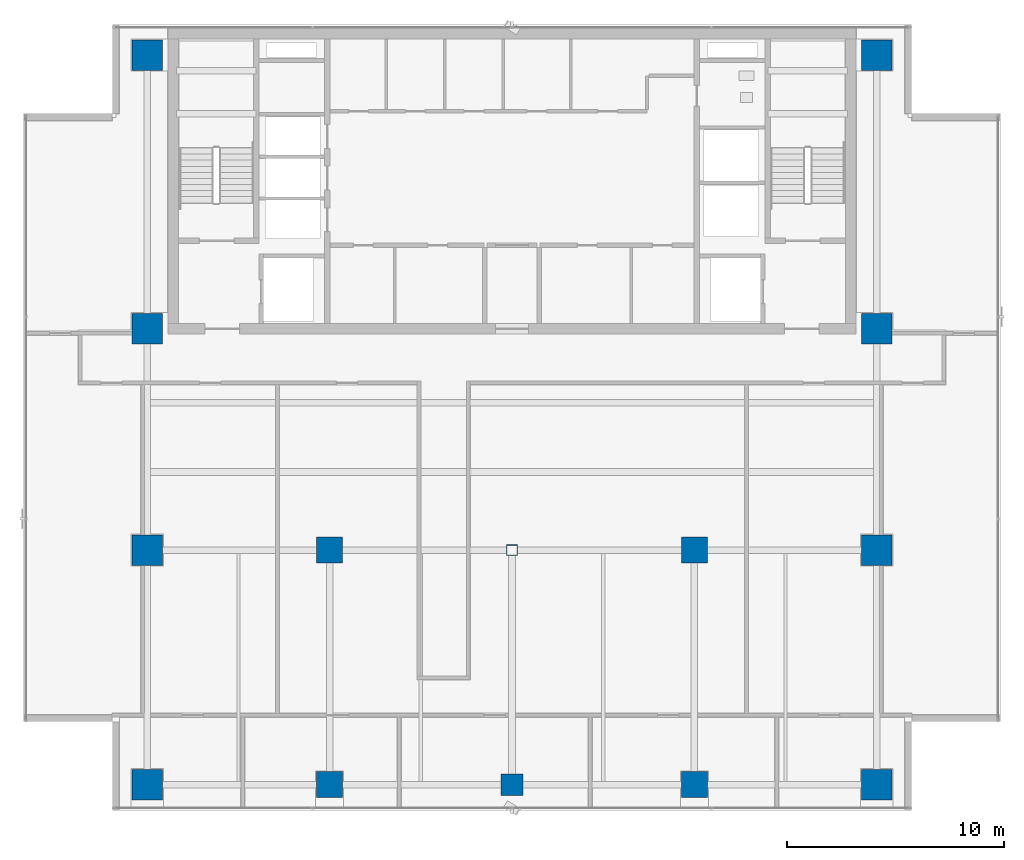
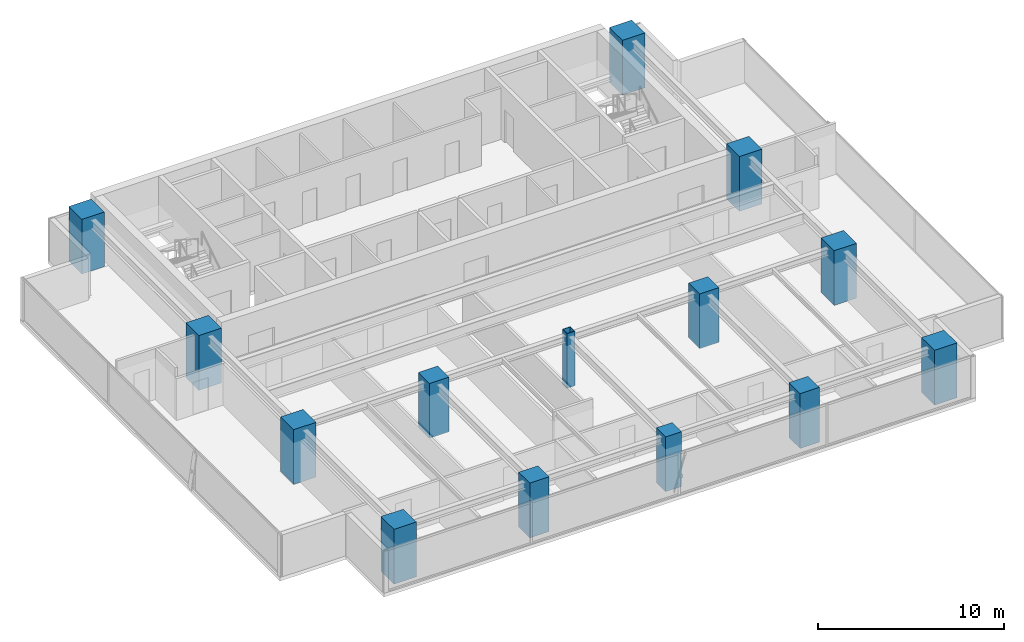
# One storey, part 1 of 26: 14 columns.
"""IFC4 building model written with IfcOpenShell, lengths in metres."""

import ifcopenshell
import ifcopenshell.guid

model = None  # the IFC model being written
_history = None  # IfcOwnerHistory: only IFC2X3 demands one
_inside = {}  # id of a spatial element -> (the spatial element, [elements in it])
_under = {}  # id of a project, library or spatial element -> (it, [spatial elements below it])
_declared = {}  # id of a project -> (the project, [libraries it declares])
_typed = {}  # id of a type object -> (the type object, [elements of that type])
_made_of = {}  # id of a material, layer set ... -> (it, [elements and type objects made of it])


def new_model(schema):
    """Start an empty IFC model of exactly this schema.

    Asked for "IFC4X3", IfcOpenShell would pick the latest addendum, in which some entities
    have other attributes; the version numbers below select the first issue.
    IFC2X3 requires an IfcOwnerHistory on every rooted entity: one is made here for all.
    """
    global model, _history
    if schema == "IFC4X3":
        model = ifcopenshell.file(schema_version=(4, 3, 0, 0))
    else:
        model = ifcopenshell.file(schema=schema)
    _inside.clear()
    _under.clear()
    _declared.clear()
    _typed.clear()
    _made_of.clear()
    _history = None
    if model.schema == "IFC2X3":
        org = make("IfcOrganization", Name="unknown")
        user = make(
            "IfcPersonAndOrganization",
            ThePerson=make("IfcPerson", FamilyName="unknown"),
            TheOrganization=org,
        )
        app = make(
            "IfcApplication",
            ApplicationDeveloper=org,
            Version="unknown",
            ApplicationFullName="unknown",
            ApplicationIdentifier="unknown",
        )
        _history = make(
            "IfcOwnerHistory",
            OwningUser=user,
            OwningApplication=app,
            ChangeAction="ADDED",
            CreationDate=0,
        )
    return model


def make(cls, **values):
    """One entity of the class cls with the attributes given. An attribute that is None is left unset."""
    return model.create_entity(
        cls, **{name: value for name, value in values.items() if value is not None}
    )


def rooted(cls, **values):
    """An entity with a GlobalId (a new one), such as an element, a storey or a relation."""
    return make(cls, GlobalId=ifcopenshell.guid.new(), OwnerHistory=_history, **values)


def si_unit(unit_type, name, prefix=None):
    """IfcSIUnit, for example si_unit("LENGTHUNIT", "METRE", prefix="MILLI")."""
    return make("IfcSIUnit", UnitType=unit_type, Prefix=prefix, Name=name)


def assignment(units):
    """IfcUnitAssignment: the units of a project."""
    return None if units is None else make("IfcUnitAssignment", Units=units)


def point(xyz):
    """IfcCartesianPoint."""
    return None if xyz is None else make("IfcCartesianPoint", Coordinates=xyz)


def direction(xyz):
    """IfcDirection."""
    return None if xyz is None else make("IfcDirection", DirectionRatios=xyz)


def frame(location, z_axis=None, x_axis=None):
    """IfcAxis2Placement3D, a coordinate frame: its origin and axes. An axis left out is left unset."""
    return make(
        "IfcAxis2Placement3D",
        Location=point(location),
        Axis=direction(z_axis),
        RefDirection=direction(x_axis),
    )


def frame_2d(location, x_axis=None):
    """IfcAxis2Placement2D, a coordinate frame in the plane: its origin and x axis."""
    return make(
        "IfcAxis2Placement2D", Location=point(location), RefDirection=direction(x_axis)
    )


def origin():
    """The frame at (0, 0, 0) with its axes left unset."""
    return frame((0.0, 0.0, 0.0))


def origin_with_axes():
    """The frame at (0, 0, 0) with the z axis (0, 0, 1) and the x axis (1, 0, 0) written out."""
    return frame((0.0, 0.0, 0.0), z_axis=(0.0, 0.0, 1.0), x_axis=(1.0, 0.0, 0.0))


def origin_2d():
    """The frame at (0, 0) in the plane with its x axis left unset."""
    return frame_2d((0.0, 0.0))


def place(relative_to, where):
    """IfcLocalPlacement: puts the frame where relative to a parent placement (None: the world)."""
    return make(
        "IfcLocalPlacement", PlacementRelTo=relative_to, RelativePlacement=where
    )


def context(
    kind, dimensions, precision=None, world=None, true_north=None, identifier=None
):
    """IfcGeometricRepresentationContext, for example the 3D "Model" context."""
    return make(
        "IfcGeometricRepresentationContext",
        ContextIdentifier=identifier,
        ContextType=kind,
        CoordinateSpaceDimension=dimensions,
        Precision=precision,
        WorldCoordinateSystem=world,
        TrueNorth=true_north,
    )


def subcontext(parent, identifier, kind, view, scale=None):
    """IfcGeometricRepresentationSubContext, for example "Body" below "Model"."""
    return make(
        "IfcGeometricRepresentationSubContext",
        ContextIdentifier=identifier,
        ContextType=kind,
        ParentContext=parent,
        TargetScale=scale,
        TargetView=view,
    )


def project(units=None, contexts=None):
    """IfcProject with its units and contexts."""
    return rooted(
        "IfcProject",
        Name="project",
        RepresentationContexts=contexts,
        UnitsInContext=assignment(units),
    )


def spatial(cls, under=None, at=None, **own):
    """A site, building, storey or space (cls), placed at a placement, below another one or the project."""
    s = rooted(cls, ObjectPlacement=at, **own)
    if under is not None:
        _under.setdefault(under.id(), (under, []))[1].append(s)
    return s


def profile(cls, at=None, kind="AREA", **sizes):
    """A parametric profile (cls). Its sizes go by their IFC names, for example OverallWidth=200.0."""
    return make(cls, ProfileType=kind, Position=at, **sizes)


def rectangle(**sizes):
    """IfcRectangleProfileDef."""
    return profile("IfcRectangleProfileDef", **sizes)


def hollow_rectangle(**sizes):
    """IfcRectangleHollowProfileDef."""
    return profile("IfcRectangleHollowProfileDef", **sizes)


def extrude(swept, where, along, depth):
    """IfcExtrudedAreaSolid: the profile swept, set in the frame where, extruded along a direction by depth."""
    return make(
        "IfcExtrudedAreaSolid",
        SweptArea=swept,
        Position=where,
        ExtrudedDirection=direction(along),
        Depth=depth,
    )


def shape(context_of_items, identifier, shape_type, items):
    """IfcShapeRepresentation: the items that make up one representation, for example the "Body"."""
    return make(
        "IfcShapeRepresentation",
        ContextOfItems=context_of_items,
        RepresentationIdentifier=identifier,
        RepresentationType=shape_type,
        Items=items,
    )


def source(mapping_origin, context_of_items, identifier, shape_type, items):
    """IfcRepresentationMap: a shape defined once, which mapped items show again and again."""
    return make(
        "IfcRepresentationMap",
        MappingOrigin=mapping_origin,
        MappedRepresentation=shape(context_of_items, identifier, shape_type, items),
    )


def transform(
    local_origin,
    x_axis=None,
    y_axis=None,
    z_axis=None,
    scale=None,
    scale2=None,
    scale3=None,
    uniform=True,
):
    """IfcCartesianTransformationOperator3D, or its non-uniform kind. x_axis, y_axis, z_axis: its Axis1, 2, 3."""
    if uniform:
        return make(
            "IfcCartesianTransformationOperator3D",
            Axis1=direction(x_axis),
            Axis2=direction(y_axis),
            LocalOrigin=point(local_origin),
            Scale=scale,
            Axis3=direction(z_axis),
        )
    return make(
        "IfcCartesianTransformationOperator3DnonUniform",
        Axis1=direction(x_axis),
        Axis2=direction(y_axis),
        LocalOrigin=point(local_origin),
        Scale=scale,
        Axis3=direction(z_axis),
        Scale2=scale2,
        Scale3=scale3,
    )


def mapped(mapping_source, mapping_target):
    """IfcMappedItem: shows the shape of a source again, moved by a transform."""
    return make(
        "IfcMappedItem", MappingSource=mapping_source, MappingTarget=mapping_target
    )


def material(Name=None, Category=None):
    """IfcMaterial."""
    return make("IfcMaterial", Name=Name, Category=Category)


def material_profile(
    of_material, cross_section, Name=None, Category=None, Priority=None
):
    """IfcMaterialProfile: a cross section and its material."""
    return make(
        "IfcMaterialProfile",
        Name=Name,
        Material=of_material,
        Profile=cross_section,
        Priority=Priority,
        Category=Category,
    )


def profile_set(profiles, Name=None, composite=None):
    """IfcMaterialProfileSet."""
    return make(
        "IfcMaterialProfileSet",
        Name=Name,
        MaterialProfiles=profiles,
        CompositeProfile=composite,
    )


def made_of(thing, what):
    """Note that an element or type object is made of a material, layer set ...; save() writes the relation."""
    if what is not None:
        _made_of.setdefault(what.id(), (what, []))[1].append(thing)
    return thing


def type_object(cls, material=None, **own):
    """A type object (cls), such as IfcWallType, which elements share."""
    return made_of(rooted(cls, **own), material)


def element(
    cls,
    number,
    at=None,
    inside=None,
    cuts=None,
    type_object=None,
    material=None,
    context=None,
    identifier="Body",
    shape_type=None,
    held_by="IfcProductDefinitionShape",
    body=None,
    shapes=None,
    **own,
):
    """One element of the class cls, such as IfcWall. Its Tag is "e" and its number.

    at: its placement. inside: the storey or other place that contains it. cuts: it is an
    opening in that element (IfcRelVoidsElement). A single representation is given by context,
    identifier, shape_type and body (its items); several are given by shapes. held_by: the class
    of the entity that holds the representations. save() writes the other relations.
    """
    e = rooted(cls, Tag="e%d" % number, ObjectPlacement=at, **own)
    if body is not None:
        shapes = [shape(context, identifier, shape_type, body)]
    if shapes is not None:
        e.Representation = make(held_by, Representations=shapes)
    if inside is not None:
        _inside.setdefault(inside.id(), (inside, []))[1].append(e)
    if cuts is not None:
        rooted(
            "IfcRelVoidsElement", RelatingBuildingElement=cuts, RelatedOpeningElement=e
        )
    if type_object is not None:
        _typed.setdefault(type_object.id(), (type_object, []))[1].append(e)
    return made_of(e, material)


def aggregate(whole, parts):
    """IfcRelAggregates: a whole, such as a stair, and the parts it consists of."""
    return rooted("IfcRelAggregates", RelatingObject=whole, RelatedObjects=parts)


def save(model, path):
    """Write the relations noted so far, then the file.

    IfcRelAggregates (storeys below a building ...), IfcRelContainedInSpatialStructure (elements
    in a storey), IfcRelDefinesByType, IfcRelAssociatesMaterial and IfcRelDeclares: one each for
    every whole, place, type object, material and project.
    """
    for whole, parts in _under.values():
        aggregate(whole, parts)
    for where, things in _inside.values():
        rooted(
            "IfcRelContainedInSpatialStructure",
            RelatedElements=things,
            RelatingStructure=where,
        )
    for kind, things in _typed.values():
        rooted("IfcRelDefinesByType", RelatedObjects=things, RelatingType=kind)
    for what, things in _made_of.values():
        rooted("IfcRelAssociatesMaterial", RelatedObjects=things, RelatingMaterial=what)
    for by, libraries in _declared.values():
        rooted("IfcRelDeclares", RelatingContext=by, RelatedDefinitions=libraries)
    model.write(path)


model = new_model("IFC4")

# Units and contexts
model_context = context("Model", 3, precision=1e-05, world=origin(), true_north=direction((0.0, 1.0)))
body_context = subcontext(model_context, "Body", "Model", "MODEL_VIEW")
ifc_project = project(units=[si_unit("LENGTHUNIT", "METRE"), si_unit("AREAUNIT", "SQUARE_METRE"), si_unit("VOLUMEUNIT", "CUBIC_METRE"), si_unit("PLANEANGLEUNIT", "RADIAN"), si_unit("MASSUNIT", "GRAM", prefix="KILO")], contexts=[model_context])

# Site, building, storey
site_placement = place(None, origin())
site = spatial("IfcSite", under=ifc_project, at=site_placement, CompositionType="ELEMENT")
building_placement = place(site_placement, origin())
building = spatial("IfcBuilding", under=site, at=building_placement, Name="Sumidabori Civic Tower", CompositionType="ELEMENT")
storey_placement = place(building_placement, frame((0.0, 0.0, 261.199951171875)))
storey = spatial("IfcBuildingStorey", under=building, at=storey_placement, Name="L68", CompositionType="ELEMENT", Elevation=261.199951171875)

# Columns
ifc_material_1 = material(Name="Concrete C60/75", Category="concrete")
ifc_material_profile_1 = material_profile(ifc_material_1, rectangle(XDim=1.39990234375, YDim=1.39990234375, at=origin_2d()), Name="RC 1400x1400")
ifc_profile_set_1 = profile_set([ifc_material_profile_1], Name="Concrete C60/75")
column_type_1 = type_object("IfcColumnType", Name="CL-MEGA-1400", PredefinedType="COLUMN", material=ifc_profile_set_1)
shared_shape_1 = source(origin(), body_context, "Body", "SweptSolid", [
    extrude(rectangle(XDim=1.39990234375, YDim=1.39990234375, at=origin_2d()), origin(), (0.0, 0.0, 1.0), 3.60009765625),
])
for number, where, z_axis, x_axis, name in (
    (1, (-16.800048828125, -10.800048828125, 0.0), (0.0, 0.0, 1.0), (1.0, 0.0, 0.0), "Column MC-W16-Y11S L68"),
    (2, (-16.800048828125, 0.0, 0.0), (0.0, 0.0, 1.0), (1.0, 0.0, 0.0), "Column MC-W16-Y00 L68"),
    (3, (-16.800048828125, 10.199951171875, 0.0), (0.0, 0.0, 1.0), (1.0, 0.0, 0.0), "Column MC-W16-Y10N L68"),
    (4, (-16.800048828125, 22.800048828125, 0.0), (0.0, 0.0, 1.0), (1.0, 0.0, 0.0), "Column MC-W16-Y23N L68"),
    (5, (16.800048828125, -10.800048828125, 0.0), (0.0, 0.0, 1.0), (1.0, 0.0, 0.0), "Column MC-E16-Y11S L68"),
    (6, (16.800048828125, 0.0, 0.0), (0.0, 0.0, 1.0), (1.0, 0.0, 0.0), "Column MC-E16-Y00 L68"),
    (7, (16.800048828125, 10.199951171875, 0.0), (0.0, 0.0, 1.0), (1.0, 0.0, 0.0), "Column MC-E16-Y10N L68"),
    (8, (16.800048828125, 22.800048828125, 0.0), (0.0, 0.0, 1.0), (1.0, 0.0, 0.0), "Column MC-E16-Y23N L68"),
):
    element("IfcColumn", number, at=place(storey_placement, frame(where, z_axis=z_axis, x_axis=x_axis)), inside=storey, type_object=column_type_1, Name=name, PredefinedType="COLUMN", context=body_context, shape_type="MappedRepresentation", body=[
        mapped(shared_shape_1, transform((0.0, 0.0, 0.0), x_axis=(1.0, 0.0, 0.0), y_axis=(0.0, 1.0, 0.0), z_axis=(0.0, 0.0, 1.0), scale=1.0)),
    ])
ifc_material_2 = material(Name="Concrete C50/60", Category="concrete")
ifc_material_profile_2 = material_profile(ifc_material_2, rectangle(XDim=1.0, YDim=1.0, at=origin_2d()), Name="RC 1000x1000")
ifc_profile_set_2 = profile_set([ifc_material_profile_2], Name="Concrete C50/60")
column_type_2 = type_object("IfcColumnType", Name="CL-INT-1000", PredefinedType="COLUMN", material=ifc_profile_set_2)
shared_shape_2 = source(origin(), body_context, "Body", "SweptSolid", [
    extrude(rectangle(XDim=1.0, YDim=1.0, at=origin_2d()), origin(), (0.0, 0.0, 1.0), 3.60009765625),
])
column_1_placement = place(storey_placement, frame((0.0, -10.800048828125, 0.0), z_axis=(0.0, 0.0, 1.0), x_axis=(1.0, 0.0, 0.0)))
element("IfcColumn", 9, at=column_1_placement, inside=storey, type_object=column_type_2, Name="Column MC-C00-Y11S L68", PredefinedType="COLUMN", context=body_context, shape_type="MappedRepresentation", body=[
    mapped(shared_shape_2, transform((0.0, 0.0, 0.0), x_axis=(1.0, 0.0, 0.0), y_axis=(0.0, 1.0, 0.0), z_axis=(0.0, 0.0, 1.0), scale=1.0)),
])
ifc_material_profile_3 = material_profile(ifc_material_2, rectangle(XDim=1.199951171875, YDim=1.199951171875, at=origin_2d()), Name="RC 1200x1200")
ifc_profile_set_3 = profile_set([ifc_material_profile_3], Name="Concrete C50/60")
column_type_3 = type_object("IfcColumnType", Name="CL-MEGA-1200", PredefinedType="COLUMN", material=ifc_profile_set_3)
shared_shape_3 = source(origin(), body_context, "Body", "SweptSolid", [
    extrude(rectangle(XDim=1.199951171875, YDim=1.199951171875, at=origin_2d()), origin(), (0.0, 0.0, 1.0), 3.60009765625),
])
for number, where, z_axis, x_axis, name in (
    (10, (-8.39990234375, 0.0, 0.0), (0.0, 0.0, 1.0), (1.0, 0.0, 0.0), "Column MC-W08-Y00 L68"),
    (11, (-8.39990234375, -10.800048828125, 0.0), (0.0, 0.0, 1.0), (1.0, 0.0, 0.0), "Column MC-W08-Y11S L68"),
    (12, (8.39990234375, 0.0, 0.0), (0.0, 0.0, 1.0), (1.0, 0.0, 0.0), "Column MC-E08-Y00 L68"),
    (13, (8.39990234375, -10.800048828125, 0.0), (0.0, 0.0, 1.0), (1.0, 0.0, 0.0), "Column MC-E08-Y11S L68"),
):
    element("IfcColumn", number, at=place(storey_placement, frame(where, z_axis=z_axis, x_axis=x_axis)), inside=storey, type_object=column_type_3, Name=name, PredefinedType="COLUMN", context=body_context, shape_type="MappedRepresentation", body=[
        mapped(shared_shape_3, transform((0.0, 0.0, 0.0), x_axis=(1.0, 0.0, 0.0), y_axis=(0.0, 1.0, 0.0), z_axis=(0.0, 0.0, 1.0), scale=1.0)),
    ])
ifc_material_3 = material(Name="Steel SN490", Category="steel")
ifc_material_profile_4 = material_profile(ifc_material_3, hollow_rectangle(XDim=0.5, YDim=0.5, WallThickness=0.02490234375, at=origin_2d()), Name="SHS 500x500x25")
ifc_profile_set_4 = profile_set([ifc_material_profile_4], Name="Steel SN490")
column_type_4 = type_object("IfcColumnType", Name="CL-CRN-SHS500", PredefinedType="COLUMN", material=ifc_profile_set_4)
shared_shape_4 = source(origin(), body_context, "Body", "SweptSolid", [
    extrude(hollow_rectangle(XDim=0.5, YDim=0.5, WallThickness=0.02490234375, at=origin_2d()), origin(), (0.0, 0.0, 1.0), 3.60009765625),
])
column_2_placement = place(storey_placement, origin_with_axes())
element("IfcColumn", 14, at=column_2_placement, inside=storey, type_object=column_type_4, Name="Column MC-C00-Y00 L68", PredefinedType="COLUMN", context=body_context, shape_type="MappedRepresentation", body=[
    mapped(shared_shape_4, transform((0.0, 0.0, 0.0), x_axis=(1.0, 0.0, 0.0), y_axis=(0.0, 1.0, 0.0), z_axis=(0.0, 0.0, 1.0), scale=1.0)),
])

save(model, "model.ifc")
